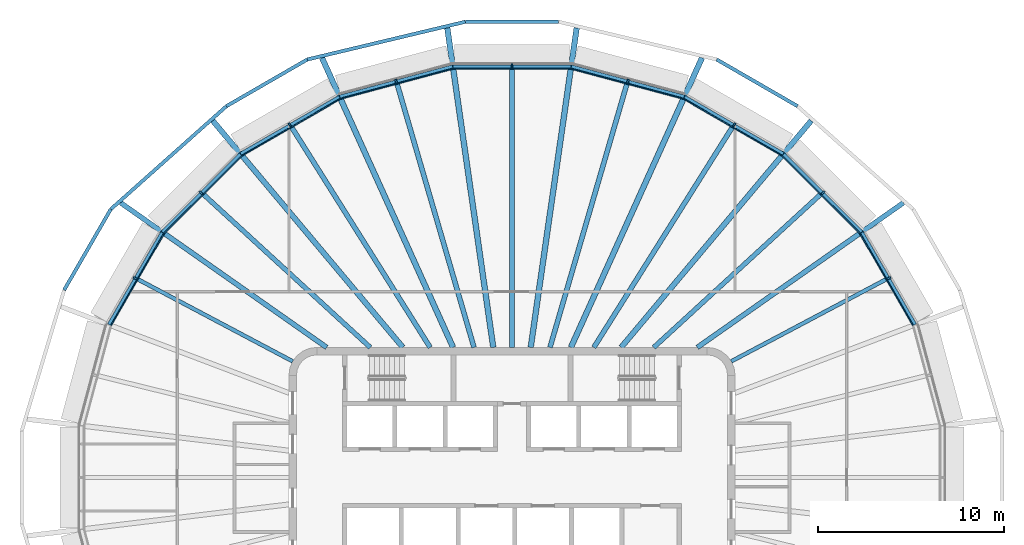
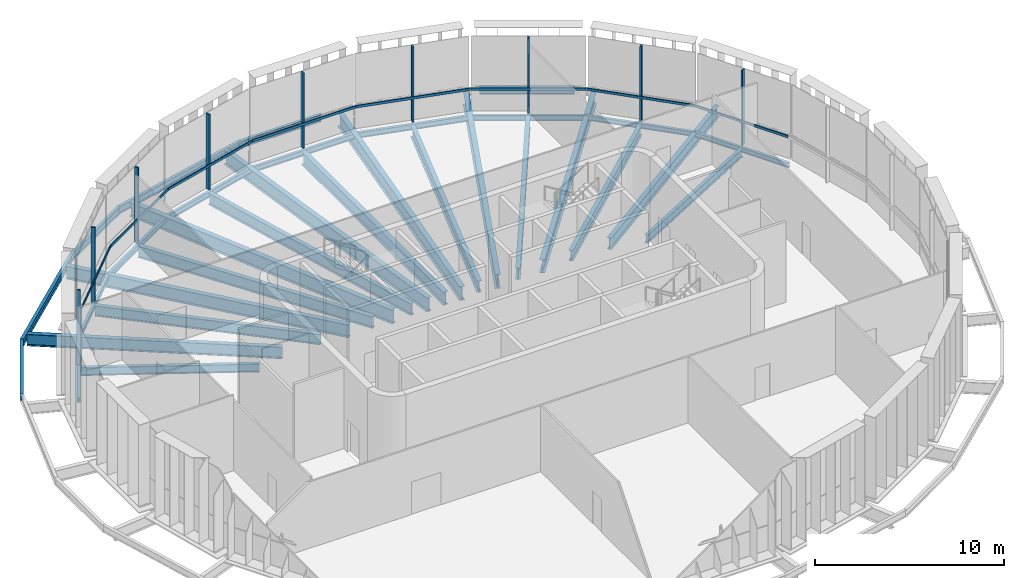
# One storey, part 4 of 16: 32 beams, 18 members, 9 elements without a shape of their own.
"""IFC4 building model written with IfcOpenShell, lengths in metres."""

from ifc_helpers import new_model, si_unit, direction, frame, origin, origin_2d, place, context, subcontext, project, spatial, rectangle, i_section, extrude, material, layer, layer_set, material_profile, profile_set, type_object, element, aggregate, save


model = new_model("IFC4")

# Units and contexts
model_context = context("Model", 3, precision=1e-05, world=origin(), true_north=direction((0.0, 1.0)))
body_context = subcontext(model_context, "Body", "Model", "MODEL_VIEW")
ifc_project = project(units=[si_unit("LENGTHUNIT", "METRE"), si_unit("AREAUNIT", "SQUARE_METRE"), si_unit("VOLUMEUNIT", "CUBIC_METRE"), si_unit("PLANEANGLEUNIT", "RADIAN"), si_unit("MASSUNIT", "GRAM", prefix="KILO")], contexts=[model_context])

# Site, building, storey
site_placement = place(None, origin())
site = spatial("IfcSite", under=ifc_project, at=site_placement, CompositionType="ELEMENT")
building_placement = place(site_placement, origin())
building = spatial("IfcBuilding", under=site, at=building_placement, Name="Sahrelin Media Tower", CompositionType="ELEMENT")
storey_placement = place(building_placement, frame((0.0, 0.0, 324.39990234375)))
storey = spatial("IfcBuildingStorey", under=building, at=storey_placement, Name="L72", CompositionType="ELEMENT", Elevation=324.39990234375)

# Beams
ifc_material_1 = material(Name="Steel S355", Category="steel")
ifc_material_profile_1 = material_profile(ifc_material_1, i_section(OverallWidth=0.1650390625, OverallDepth=0.303466796875, WebThickness=0.006103515625, FlangeThickness=0.01025390625, FilletRadius=0.0087890625, at=origin_2d()), Name="UB 305x165x40")
ifc_profile_set_1 = profile_set([ifc_material_profile_1], Name="Steel S355")
beam_type_1 = type_object("IfcBeamType", Name="Edge beam EB2", PredefinedType="BEAM", material=ifc_profile_set_1)
beam_1_placement = place(storey_placement, frame((-21.68701171875, 8.228759765625, -0.301513671875), z_axis=(0.500031155639, 0.86600741532, 0.0), x_axis=(-0.86600741532, 0.500031155639, 0.0)))
element("IfcBeam", 1, at=beam_1_placement, inside=storey, type_object=beam_type_1, Name="Edge beam L72-15", PredefinedType="BEAM", context=body_context, shape_type="SweptSolid", body=[
    extrude(i_section(OverallWidth=0.1650390625, OverallDepth=0.303466796875, WebThickness=0.006103515625, FlangeThickness=0.01025390625, FilletRadius=0.0087890625, at=origin_2d()), origin(), (0.0, 0.0, 1.0), 5.727783203125),
])
for number, where, z_axis, x_axis, name in (
    (2, (-18.8056640625, 13.2119140625, -0.301513671875), (0.707127398047, 0.707086163725, 0.0), (-0.707086163725, 0.707127398047, 0.0), "Edge beam L72-16"),
    (3, (14.618896484375, 17.3984375, -0.301513671875), (0.707127398047, -0.707086163725, 0.0), (0.707086163725, 0.707127398047, 0.0), "Edge beam L72-22"),
):
    element("IfcBeam", number, at=place(storey_placement, frame(where, z_axis=z_axis, x_axis=x_axis)), inside=storey, type_object=beam_type_1, Name=name, PredefinedType="BEAM", context=body_context, shape_type="SweptSolid", body=[
        extrude(i_section(OverallWidth=0.1650390625, OverallDepth=0.303466796875, WebThickness=0.006103515625, FlangeThickness=0.01025390625, FilletRadius=0.0087890625, at=origin_2d()), origin(), (0.0, 0.0, 1.0), 5.9208984375),
    ])
beam_2_placement = place(storey_placement, frame((18.822998046875, 13.18896484375, -0.301513671875), z_axis=(0.500031155639, -0.86600741532, 0.0), x_axis=(0.86600741532, 0.500031155639, 0.0)))
element("IfcBeam", 4, at=beam_2_placement, inside=storey, type_object=beam_type_1, Name="Edge beam L72-23", PredefinedType="BEAM", context=body_context, shape_type="SweptSolid", body=[
    extrude(i_section(OverallWidth=0.1650390625, OverallDepth=0.303466796875, WebThickness=0.006103515625, FlangeThickness=0.01025390625, FilletRadius=0.0087890625, at=origin_2d()), origin(), (0.0, 0.0, 1.0), 5.727783203125),
])
ifc_material_profile_2 = material_profile(ifc_material_1, i_section(OverallWidth=0.17138671875, OverallDepth=0.35498046875, WebThickness=0.00732421875, FlangeThickness=0.011474609375, FilletRadius=0.01025390625, at=origin_2d()), Name="UB 356x171x51")
ifc_profile_set_2 = profile_set([ifc_material_profile_2], Name="Steel S355")
beam_type_2 = type_object("IfcBeamType", Name="Edge beam EB3", PredefinedType="BEAM", material=ifc_profile_set_2)
beam_3_placement = place(storey_placement, frame((-14.59619140625, 17.416015625, -0.327392578125), z_axis=(0.866016979766, 0.500014590545, 0.0), x_axis=(-0.500014590545, 0.866016979766, 0.0)))
element("IfcBeam", 5, at=beam_3_placement, inside=storey, type_object=beam_type_2, Name="Edge beam L72-17", PredefinedType="BEAM", context=body_context, shape_type="SweptSolid", body=[
    extrude(i_section(OverallWidth=0.17138671875, OverallDepth=0.35498046875, WebThickness=0.00732421875, FlangeThickness=0.011474609375, FilletRadius=0.01025390625, at=origin_2d()), origin(), (0.0, 0.0, 1.0), 6.124755859375),
])
beam_4_placement = place(storey_placement, frame((-9.265380859375, 20.489501953125, -0.327392578125), z_axis=(0.965931048649, 0.258799554202, 0.0), x_axis=(-0.258799554202, 0.965931048649, 0.0)))
element("IfcBeam", 6, at=beam_4_placement, inside=storey, type_object=beam_type_2, Name="Edge beam L72-18", PredefinedType="BEAM", context=body_context, shape_type="SweptSolid", body=[
    extrude(i_section(OverallWidth=0.17138671875, OverallDepth=0.35498046875, WebThickness=0.00732421875, FlangeThickness=0.011474609375, FilletRadius=0.01025390625, at=origin_2d()), origin(), (0.0, 0.0, 1.0), 6.28076171875),
])
beam_5_placement = place(storey_placement, frame((-3.169921875, 22.118896484375, -0.327392578125), z_axis=(1.0, 0.0, 0.0), x_axis=(0.0, 1.0, 0.0)))
element("IfcBeam", 7, at=beam_5_placement, inside=storey, type_object=beam_type_2, Name="Edge beam L72-19", PredefinedType="BEAM", context=body_context, shape_type="SweptSolid", body=[
    extrude(i_section(OverallWidth=0.17138671875, OverallDepth=0.35498046875, WebThickness=0.00732421875, FlangeThickness=0.011474609375, FilletRadius=0.01025390625, at=origin_2d()), origin(), (0.0, 0.0, 1.0), 6.33984375),
])
beam_6_placement = place(storey_placement, frame((3.198486328125, 22.114990234375, -0.327392578125), z_axis=(0.965931048649, -0.258799554202, 0.0), x_axis=(0.258799554202, 0.965931048649, 0.0)))
element("IfcBeam", 8, at=beam_6_placement, inside=storey, type_object=beam_type_2, Name="Edge beam L72-20", PredefinedType="BEAM", context=body_context, shape_type="SweptSolid", body=[
    extrude(i_section(OverallWidth=0.17138671875, OverallDepth=0.35498046875, WebThickness=0.00732421875, FlangeThickness=0.011474609375, FilletRadius=0.01025390625, at=origin_2d()), origin(), (0.0, 0.0, 1.0), 6.28076171875),
])
beam_7_placement = place(storey_placement, frame((9.2919921875, 20.478515625, -0.327392578125), z_axis=(0.866016979766, -0.500014590545, 0.0), x_axis=(0.500014590545, 0.866016979766, 0.0)))
element("IfcBeam", 9, at=beam_7_placement, inside=storey, type_object=beam_type_2, Name="Edge beam L72-21", PredefinedType="BEAM", context=body_context, shape_type="SweptSolid", body=[
    extrude(i_section(OverallWidth=0.17138671875, OverallDepth=0.35498046875, WebThickness=0.00732421875, FlangeThickness=0.011474609375, FilletRadius=0.01025390625, at=origin_2d()), origin(), (0.0, 0.0, 1.0), 6.124755859375),
])

# Curtain wall, member
ifc_material_2 = material(Name="Champagne anodised aluminium 6063-T6", Category="aluminium")
ifc_layer = layer(ifc_material_2, 0.14990234375)
ifc_layer_set = layer_set([ifc_layer], Name="Observation curtain wall")
curtain_wall_type = type_object("IfcCurtainWallType", Name="Observation curtain wall", PredefinedType="NOTDEFINED", material=ifc_layer_set)
curtain_wall_1_placement = place(storey_placement, frame((20.385009765625, 10.783935546875, 0.0), z_axis=(0.0, 0.0, 1.0), x_axis=(1.0, 0.0, 0.0)))
curtain_wall_1 = element("IfcCurtainWall", 10, at=curtain_wall_1_placement, inside=storey, type_object=curtain_wall_type, Name="L72:CW:L72-02", PredefinedType="NOTDEFINED")
ifc_material_profile_3 = material_profile(ifc_material_2, rectangle(XDim=0.10009765625, YDim=0.22509765625, at=origin_2d()), Name="Mullion 100x225")
ifc_profile_set_3 = profile_set([ifc_material_profile_3], Name="Champagne anodised aluminium 6063-T6")
member_type_1 = type_object("IfcMemberType", Name="Mullion 100x225 CW3", PredefinedType="MULLION", material=ifc_profile_set_3)
member_1_placement = place(storey_placement, frame((20.270263671875, 10.717529296875, 0.0), z_axis=(0.0, 0.0, 1.0), x_axis=(-0.500012091947, 0.866018422383, 0.0)))
member_1 = element("IfcMember", 11, at=member_1_placement, type_object=member_type_1, Name="L72:CWM:L72-02", PredefinedType="MULLION", context=body_context, shape_type="SweptSolid", body=[
    extrude(rectangle(XDim=0.10009765625, YDim=0.22509765625, at=origin_2d()), origin(), (0.0, 0.0, 1.0), 4.8486328125),
])

curtain_wall_2_placement = place(storey_placement, frame((16.818359375, 15.4111328125, 0.0), z_axis=(0.0, 0.0, 1.0), x_axis=(1.0, 0.0, 0.0)))
curtain_wall_2 = element("IfcCurtainWall", 12, at=curtain_wall_2_placement, inside=storey, type_object=curtain_wall_type, Name="L72:CW:L72-03", PredefinedType="NOTDEFINED")
member_2_placement = place(storey_placement, frame((16.724609375, 15.3173828125, 0.0), z_axis=(0.0, 0.0, 1.0), x_axis=(-0.707098142195, 0.707115420073, 0.0)))
member_2 = element("IfcMember", 13, at=member_2_placement, type_object=member_type_1, Name="L72:CWM:L72-03", PredefinedType="MULLION", context=body_context, shape_type="SweptSolid", body=[
    extrude(rectangle(XDim=0.10009765625, YDim=0.22509765625, at=origin_2d()), origin(), (0.0, 0.0, 1.0), 4.8486328125),
])

curtain_wall_3_placement = place(storey_placement, frame((12.01904296875, 19.0771484375, 0.0), z_axis=(0.0, 0.0, 1.0), x_axis=(1.0, 0.0, 0.0)))
curtain_wall_3 = element("IfcCurtainWall", 14, at=curtain_wall_3_placement, inside=storey, type_object=curtain_wall_type, Name="L72:CW:L72-04", PredefinedType="NOTDEFINED")
member_3_placement = place(storey_placement, frame((11.952880859375, 18.96240234375, 0.0), z_axis=(0.0, 0.0, 1.0), x_axis=(-0.866026276448, 0.4999984885, 0.0)))
member_3 = element("IfcMember", 15, at=member_3_placement, type_object=member_type_1, Name="L72:CWM:L72-04", PredefinedType="MULLION", context=body_context, shape_type="SweptSolid", body=[
    extrude(rectangle(XDim=0.10009765625, YDim=0.22509765625, at=origin_2d()), origin(), (0.0, 0.0, 1.0), 4.8486328125),
])

curtain_wall_4_placement = place(storey_placement, frame((6.270751953125, 21.447021484375, 0.0), z_axis=(0.0, 0.0, 1.0), x_axis=(1.0, 0.0, 0.0)))
curtain_wall_4 = element("IfcCurtainWall", 16, at=curtain_wall_4_placement, inside=storey, type_object=curtain_wall_type, Name="L72:CW:L72-05", PredefinedType="NOTDEFINED")
member_4_placement = place(storey_placement, frame((6.236328125, 21.319091796875, 0.0), z_axis=(0.0, 0.0, 1.0), x_axis=(-0.965925374563, 0.258820730961, 0.0)))
member_4 = element("IfcMember", 17, at=member_4_placement, type_object=member_type_1, Name="L72:CWM:L72-05", PredefinedType="MULLION", context=body_context, shape_type="SweptSolid", body=[
    extrude(rectangle(XDim=0.10009765625, YDim=0.22509765625, at=origin_2d()), origin(), (0.0, 0.0, 1.0), 4.8486328125),
])

curtain_wall_5_placement = place(storey_placement, frame((0.0, 22.268798828125, 0.0), z_axis=(0.0, 0.0, 1.0), x_axis=(1.0, 0.0, 0.0)))
curtain_wall_5 = element("IfcCurtainWall", 18, at=curtain_wall_5_placement, inside=storey, type_object=curtain_wall_type, Name="L72:CW:L72-06", PredefinedType="NOTDEFINED")
member_5_placement = place(storey_placement, frame((0.0, 22.13623046875, 0.0), z_axis=(0.0, 0.0, 1.0), x_axis=(-1.0, 0.0, 0.0)))
member_5 = element("IfcMember", 19, at=member_5_placement, type_object=member_type_1, Name="L72:CWM:L72-06", PredefinedType="MULLION", context=body_context, shape_type="SweptSolid", body=[
    extrude(rectangle(XDim=0.10009765625, YDim=0.22509765625, at=origin_2d()), origin(), (0.0, 0.0, 1.0), 4.8486328125),
])

curtain_wall_6_placement = place(storey_placement, frame((-6.270751953125, 21.447021484375, 0.0), z_axis=(0.0, 0.0, 1.0), x_axis=(1.0, 0.0, 0.0)))
curtain_wall_6 = element("IfcCurtainWall", 20, at=curtain_wall_6_placement, inside=storey, type_object=curtain_wall_type, Name="L72:CW:L72-07", PredefinedType="NOTDEFINED")
member_6_placement = place(storey_placement, frame((-6.236328125, 21.319091796875, 0.0), z_axis=(0.0, 0.0, 1.0), x_axis=(-0.965925374563, -0.258820730961, 0.0)))
member_6 = element("IfcMember", 21, at=member_6_placement, type_object=member_type_1, Name="L72:CWM:L72-07", PredefinedType="MULLION", context=body_context, shape_type="SweptSolid", body=[
    extrude(rectangle(XDim=0.10009765625, YDim=0.22509765625, at=origin_2d()), origin(), (0.0, 0.0, 1.0), 4.8486328125),
])

curtain_wall_7_placement = place(storey_placement, frame((-12.01904296875, 19.0771484375, 0.0), z_axis=(0.0, 0.0, 1.0), x_axis=(1.0, 0.0, 0.0)))
curtain_wall_7 = element("IfcCurtainWall", 22, at=curtain_wall_7_placement, inside=storey, type_object=curtain_wall_type, Name="L72:CW:L72-08", PredefinedType="NOTDEFINED")
member_7_placement = place(storey_placement, frame((-11.952880859375, 18.96240234375, 0.0), z_axis=(0.0, 0.0, 1.0), x_axis=(-0.866026276448, -0.4999984885, 0.0)))
member_7 = element("IfcMember", 23, at=member_7_placement, type_object=member_type_1, Name="L72:CWM:L72-08", PredefinedType="MULLION", context=body_context, shape_type="SweptSolid", body=[
    extrude(rectangle(XDim=0.10009765625, YDim=0.22509765625, at=origin_2d()), origin(), (0.0, 0.0, 1.0), 4.8486328125),
])

curtain_wall_8_placement = place(storey_placement, frame((-16.818359375, 15.4111328125, 0.0), z_axis=(0.0, 0.0, 1.0), x_axis=(1.0, 0.0, 0.0)))
curtain_wall_8 = element("IfcCurtainWall", 24, at=curtain_wall_8_placement, inside=storey, type_object=curtain_wall_type, Name="L72:CW:L72-09", PredefinedType="NOTDEFINED")
member_8_placement = place(storey_placement, frame((-16.724609375, 15.3173828125, 0.0), z_axis=(0.0, 0.0, 1.0), x_axis=(-0.707098142195, -0.707115420073, 0.0)))
member_8 = element("IfcMember", 25, at=member_8_placement, type_object=member_type_1, Name="L72:CWM:L72-09", PredefinedType="MULLION", context=body_context, shape_type="SweptSolid", body=[
    extrude(rectangle(XDim=0.10009765625, YDim=0.22509765625, at=origin_2d()), origin(), (0.0, 0.0, 1.0), 4.8486328125),
])

curtain_wall_9_placement = place(storey_placement, frame((-20.385009765625, 10.78369140625, 0.0), z_axis=(0.0, 0.0, 1.0), x_axis=(1.0, 0.0, 0.0)))
curtain_wall_9 = element("IfcCurtainWall", 26, at=curtain_wall_9_placement, inside=storey, type_object=curtain_wall_type, Name="L72:CW:L72-10", PredefinedType="NOTDEFINED")
member_9_placement = place(storey_placement, frame((-20.270263671875, 10.717529296875, 0.0), z_axis=(0.0, 0.0, 1.0), x_axis=(-0.500012091947, -0.866018422383, 0.0)))
member_9 = element("IfcMember", 27, at=member_9_placement, type_object=member_type_1, Name="L72:CWM:L72-10", PredefinedType="MULLION", context=body_context, shape_type="SweptSolid", body=[
    extrude(rectangle(XDim=0.10009765625, YDim=0.22509765625, at=origin_2d()), origin(), (0.0, 0.0, 1.0), 4.8486328125),
])

# Beams
ifc_material_profile_4 = material_profile(ifc_material_1, i_section(OverallWidth=0.291748046875, OverallDepth=0.8349609375, WebThickness=0.013916015625, FlangeThickness=0.018798828125, FilletRadius=0.017822265625, at=origin_2d()), Name="UB 838x292x176")
ifc_profile_set_4 = profile_set([ifc_material_profile_4], Name="Steel S355")
beam_type_3 = type_object("IfcBeamType", Name="Radial primary beam PB10", PredefinedType="BEAM", material=ifc_profile_set_4)
for number, where, z_axis, x_axis, name in (
    (28, (5.87060546875, 7.0, -0.5673828125), (0.642597154572, 0.766204213598, 0.0), (-0.766204213598, 0.642597154572, 0.0), "Radial beam L72-04"),
    (29, (-5.87060546875, 7.0, -0.5673828125), (-0.642597154572, 0.766204213598, 0.0), (-0.766204213598, -0.642597154572, 0.0), "Radial beam L72-09"),
):
    element("IfcBeam", number, at=place(storey_placement, frame(where, z_axis=z_axis, x_axis=x_axis)), inside=storey, type_object=beam_type_3, Name=name, PredefinedType="BEAM", context=body_context, shape_type="SweptSolid", body=[
        extrude(i_section(OverallWidth=0.291748046875, OverallDepth=0.8349609375, WebThickness=0.013916015625, FlangeThickness=0.018798828125, FilletRadius=0.017822265625, at=origin_2d()), origin(), (0.0, 0.0, 1.0), 15.91357421875),
    ])
ifc_material_profile_5 = material_profile(ifc_material_1, i_section(OverallWidth=0.30322265625, OverallDepth=0.903076171875, WebThickness=0.01513671875, FlangeThickness=0.020263671875, FilletRadius=0.01904296875, at=origin_2d()), Name="UB 914x305x201")
ifc_profile_set_5 = profile_set([ifc_material_profile_5], Name="Steel S355")
beam_type_4 = type_object("IfcBeamType", Name="Radial primary beam PB11", PredefinedType="BEAM", material=ifc_profile_set_5)
beam_8_placement = place(storey_placement, frame((3.1689453125, 7.0, -0.601318359375), z_axis=(0.412422382425, 0.910992743371, 0.0), x_axis=(-0.910992743371, 0.412422382425, 0.0)))
element("IfcBeam", 30, at=beam_8_placement, inside=storey, type_object=beam_type_4, Name="Radial beam L72-05", PredefinedType="BEAM", context=body_context, shape_type="SweptSolid", body=[
    extrude(i_section(OverallWidth=0.30322265625, OverallDepth=0.903076171875, WebThickness=0.01513671875, FlangeThickness=0.020263671875, FilletRadius=0.01904296875, at=origin_2d()), origin(), (0.0, 0.0, 1.0), 17.10009765625),
])
for number, where, z_axis, x_axis, name in (
    (31, (1.007080078125, 7.0, -0.601318359375), (0.142425148838, 0.989805575342, 0.0), (-0.989805575342, 0.142425148838, 0.0), "Radial beam L72-06"),
    (32, (-1.007080078125, 7.0, -0.601318359375), (-0.142425148838, 0.989805575342, 0.0), (-0.989805575342, -0.142425148838, 0.0), "Radial beam L72-07"),
):
    element("IfcBeam", number, at=place(storey_placement, frame(where, z_axis=z_axis, x_axis=x_axis)), inside=storey, type_object=beam_type_4, Name=name, PredefinedType="BEAM", context=body_context, shape_type="SweptSolid", body=[
        extrude(i_section(OverallWidth=0.30322265625, OverallDepth=0.903076171875, WebThickness=0.01513671875, FlangeThickness=0.020263671875, FilletRadius=0.01904296875, at=origin_2d()), origin(), (0.0, 0.0, 1.0), 17.364501953125),
    ])
beam_9_placement = place(storey_placement, frame((-3.1689453125, 7.0, -0.601318359375), z_axis=(-0.412422382425, 0.910992743371, 0.0), x_axis=(-0.910992743371, -0.412422382425, 0.0)))
element("IfcBeam", 33, at=beam_9_placement, inside=storey, type_object=beam_type_4, Name="Radial beam L72-08", PredefinedType="BEAM", context=body_context, shape_type="SweptSolid", body=[
    extrude(i_section(OverallWidth=0.30322265625, OverallDepth=0.903076171875, WebThickness=0.01513671875, FlangeThickness=0.020263671875, FilletRadius=0.01904296875, at=origin_2d()), origin(), (0.0, 0.0, 1.0), 17.10009765625),
])
ifc_material_profile_6 = material_profile(ifc_material_1, i_section(OverallWidth=0.26513671875, OverallDepth=0.75390625, WebThickness=0.0126953125, FlangeThickness=0.017578125, FilletRadius=0.0166015625, at=origin_2d()), Name="UB 762x267x147")
ifc_profile_set_6 = profile_set([ifc_material_profile_6], Name="Steel S355")
beam_type_5 = type_object("IfcBeamType", Name="Radial primary beam PB9", PredefinedType="BEAM", material=ifc_profile_set_6)
for number, where, z_axis, x_axis, name in (
    (34, (9.97119140625, 7.0, -0.52685546875), (0.818447487805, 0.574581334283, 0.0), (-0.574581334283, 0.818447487805, 0.0), "Radial beam L72-03"),
    (35, (-9.97119140625, 7.0, -0.52685546875), (-0.818447487805, 0.574581334283, 0.0), (-0.574581334283, -0.818447487805, 0.0), "Radial beam L72-10"),
):
    element("IfcBeam", number, at=place(storey_placement, frame(where, z_axis=z_axis, x_axis=x_axis)), inside=storey, type_object=beam_type_5, Name=name, PredefinedType="BEAM", context=body_context, shape_type="SweptSolid", body=[
        extrude(i_section(OverallWidth=0.26513671875, OverallDepth=0.75390625, WebThickness=0.0126953125, FlangeThickness=0.017578125, FilletRadius=0.0166015625, at=origin_2d()), origin(), (0.0, 0.0, 1.0), 13.538330078125),
    ])
ifc_material_profile_7 = material_profile(ifc_material_1, i_section(OverallWidth=0.291748046875, OverallDepth=0.8349609375, WebThickness=0.013916015625, FlangeThickness=0.018798828125, FilletRadius=0.017822265625, at=origin_2d()), Name="UB 838x292x176")
ifc_profile_set_7 = profile_set([ifc_material_profile_7], Name="Steel S355")
beam_type_6 = type_object("IfcBeamType", Name="Radial secondary beam SB10", PredefinedType="BEAM", material=ifc_profile_set_7)
beam_10_placement = place(storey_placement, frame((0.0, 7.0, -0.5673828125), z_axis=(0.0, 1.0, 0.0), x_axis=(-1.0, 0.0, 0.0)))
element("IfcBeam", 36, at=beam_10_placement, inside=storey, type_object=beam_type_6, Name="Secondary beam L72-06", PredefinedType="BEAM", context=body_context, shape_type="SweptSolid", body=[
    extrude(i_section(OverallWidth=0.291748046875, OverallDepth=0.8349609375, WebThickness=0.013916015625, FlangeThickness=0.018798828125, FilletRadius=0.017822265625, at=origin_2d()), origin(), (0.0, 0.0, 1.0), 15.032958984375),
])
ifc_material_profile_8 = material_profile(ifc_material_1, i_section(OverallWidth=0.208740234375, OverallDepth=0.5283203125, WebThickness=0.009521484375, FlangeThickness=0.01318359375, FilletRadius=0.0126953125, at=origin_2d()), Name="UB 533x210x82")
ifc_profile_set_8 = profile_set([ifc_material_profile_8], Name="Steel S355")
beam_type_7 = type_object("IfcBeamType", Name="Radial secondary beam SB6", PredefinedType="BEAM", material=ifc_profile_set_8)
for number, where, z_axis, x_axis, name in (
    (37, (11.798583984375, 6.250244140625, -0.4140625), (0.883668821173, 0.468112608767, 0.0), (-0.468112608767, 0.883668821173, 0.0), "Secondary beam L72-02"),
    (38, (-11.798583984375, 6.250244140625, -0.4140625), (-0.883668821173, 0.468112608767, 0.0), (-0.468112608767, -0.883668821173, 0.0), "Secondary beam L72-10"),
):
    element("IfcBeam", number, at=place(storey_placement, frame(where, z_axis=z_axis, x_axis=x_axis)), inside=storey, type_object=beam_type_7, Name=name, PredefinedType="BEAM", context=body_context, shape_type="SweptSolid", body=[
        extrude(i_section(OverallWidth=0.208740234375, OverallDepth=0.5283203125, WebThickness=0.009521484375, FlangeThickness=0.01318359375, FilletRadius=0.0126953125, at=origin_2d()), origin(), (0.0, 0.0, 1.0), 9.476318359375),
    ])
ifc_material_profile_9 = material_profile(ifc_material_1, i_section(OverallWidth=0.2529296875, OverallDepth=0.677978515625, WebThickness=0.01171875, FlangeThickness=0.01611328125, FilletRadius=0.01513671875, at=origin_2d()), Name="UB 686x254x125")
ifc_profile_set_9 = profile_set([ifc_material_profile_9], Name="Steel S355")
beam_type_8 = type_object("IfcBeamType", Name="Radial secondary beam SB8", PredefinedType="BEAM", material=ifc_profile_set_9)
for number, where, z_axis, x_axis, name in (
    (39, (7.627685546875, 7.0, -0.489013671875), (0.736780999389, 0.676131465721, 0.0), (-0.676131465721, 0.736780999389, 0.0), "Secondary beam L72-03"),
    (40, (-7.627685546875, 7.0, -0.489013671875), (-0.736780999389, 0.676131465721, 0.0), (-0.676131465721, -0.736780999389, 0.0), "Secondary beam L72-09"),
):
    element("IfcBeam", number, at=place(storey_placement, frame(where, z_axis=z_axis, x_axis=x_axis)), inside=storey, type_object=beam_type_8, Name=name, PredefinedType="BEAM", context=body_context, shape_type="SweptSolid", body=[
        extrude(i_section(OverallWidth=0.2529296875, OverallDepth=0.677978515625, WebThickness=0.01171875, FlangeThickness=0.01611328125, FilletRadius=0.01513671875, at=origin_2d()), origin(), (0.0, 0.0, 1.0), 12.225341796875),
    ])
ifc_material_profile_10 = material_profile(ifc_material_1, i_section(OverallWidth=0.26513671875, OverallDepth=0.75390625, WebThickness=0.0126953125, FlangeThickness=0.017578125, FilletRadius=0.0166015625, at=origin_2d()), Name="UB 762x267x147")
ifc_profile_set_10 = profile_set([ifc_material_profile_10], Name="Steel S355")
beam_type_9 = type_object("IfcBeamType", Name="Radial secondary beam SB9", PredefinedType="BEAM", material=ifc_profile_set_10)
beam_11_placement = place(storey_placement, frame((4.4033203125, 7.0, -0.52685546875), z_axis=(0.532436450386, 0.846469979562, 0.0), x_axis=(-0.846469979562, 0.532436450386, 0.0)))
element("IfcBeam", 41, at=beam_11_placement, inside=storey, type_object=beam_type_9, Name="Secondary beam L72-04", PredefinedType="BEAM", context=body_context, shape_type="SweptSolid", body=[
    extrude(i_section(OverallWidth=0.26513671875, OverallDepth=0.75390625, WebThickness=0.0126953125, FlangeThickness=0.017578125, FilletRadius=0.0166015625, at=origin_2d()), origin(), (0.0, 0.0, 1.0), 14.041259765625),
])
for number, where, z_axis, x_axis, name in (
    (42, (2.043212890625, 7.0, -0.52685546875), (0.280209423765, 0.959938893281, 0.0), (-0.959938893281, 0.280209423765, 0.0), "Secondary beam L72-05"),
    (43, (-2.043212890625, 7.0, -0.52685546875), (-0.280209423765, 0.959938893281, 0.0), (-0.959938893281, -0.280209423765, 0.0), "Secondary beam L72-07"),
):
    element("IfcBeam", number, at=place(storey_placement, frame(where, z_axis=z_axis, x_axis=x_axis)), inside=storey, type_object=beam_type_9, Name=name, PredefinedType="BEAM", context=body_context, shape_type="SweptSolid", body=[
        extrude(i_section(OverallWidth=0.26513671875, OverallDepth=0.75390625, WebThickness=0.0126953125, FlangeThickness=0.017578125, FilletRadius=0.0166015625, at=origin_2d()), origin(), (0.0, 0.0, 1.0), 14.81689453125),
    ])
beam_12_placement = place(storey_placement, frame((-4.4033203125, 7.0, -0.52685546875), z_axis=(-0.532436450386, 0.846469979562, 0.0), x_axis=(-0.846469979562, -0.532436450386, 0.0)))
element("IfcBeam", 44, at=beam_12_placement, inside=storey, type_object=beam_type_9, Name="Secondary beam L72-08", PredefinedType="BEAM", context=body_context, shape_type="SweptSolid", body=[
    extrude(i_section(OverallWidth=0.26513671875, OverallDepth=0.75390625, WebThickness=0.0126953125, FlangeThickness=0.017578125, FilletRadius=0.0166015625, at=origin_2d()), origin(), (0.0, 0.0, 1.0), 14.041259765625),
])
ifc_material_profile_11 = material_profile(ifc_material_1, i_section(OverallWidth=0.1904296875, OverallDepth=0.45703125, WebThickness=0.009033203125, FlangeThickness=0.014404296875, FilletRadius=0.01025390625, at=origin_2d()), Name="UB 457x191x74")
ifc_profile_set_11 = profile_set([ifc_material_profile_11], Name="Steel S355")
beam_type_10 = type_object("IfcBeamType", Name="Tie chord TC5", PredefinedType="BEAM", material=ifc_profile_set_11)
beam_13_placement = place(storey_placement, frame((15.3583984375, 19.978515625, -0.37841796875), z_axis=(-0.866015402684, 0.500017322015, 0.0), x_axis=(-0.500017322015, -0.866015402684, 0.0)))
element("IfcBeam", 45, at=beam_13_placement, inside=storey, type_object=beam_type_10, Name="Tie chord L72-04", PredefinedType="BEAM", context=body_context, shape_type="SweptSolid", body=[
    extrude(i_section(OverallWidth=0.1904296875, OverallDepth=0.45703125, WebThickness=0.009033203125, FlangeThickness=0.014404296875, FilletRadius=0.01025390625, at=origin_2d()), origin(), (0.0, 0.0, 1.0), 5.016845703125),
])
beam_14_placement = place(storey_placement, frame((2.508544921875, 24.517333984375, -0.37841796875), z_axis=(-1.0, 0.0, 0.0), x_axis=(0.0, -1.0, 0.0)))
element("IfcBeam", 46, at=beam_14_placement, inside=storey, type_object=beam_type_10, Name="Tie chord L72-06", PredefinedType="BEAM", context=body_context, shape_type="SweptSolid", body=[
    extrude(i_section(OverallWidth=0.1904296875, OverallDepth=0.45703125, WebThickness=0.009033203125, FlangeThickness=0.014404296875, FilletRadius=0.01025390625, at=origin_2d()), origin(), (0.0, 0.0, 1.0), 5.01708984375),
])
beam_15_placement = place(storey_placement, frame((-2.508544921875, 24.517333984375, -0.37841796875), z_axis=(-0.9726709397, -0.232187947715, 0.0), x_axis=(0.232187947715, -0.9726709397, 0.0)))
element("IfcBeam", 47, at=beam_15_placement, inside=storey, type_object=beam_type_10, Name="Tie chord L72-07", PredefinedType="BEAM", context=body_context, shape_type="SweptSolid", body=[
    extrude(i_section(OverallWidth=0.1904296875, OverallDepth=0.45703125, WebThickness=0.009033203125, FlangeThickness=0.014404296875, FilletRadius=0.01025390625, at=origin_2d()), origin(), (0.0, 0.0, 1.0), 8.744140625),
])
beam_16_placement = place(storey_placement, frame((-11.013671875, 22.487060546875, -0.37841796875), z_axis=(-0.866015402684, -0.500017322015, 0.0), x_axis=(0.500017322015, -0.866015402684, 0.0)))
element("IfcBeam", 48, at=beam_16_placement, inside=storey, type_object=beam_type_10, Name="Tie chord L72-08", PredefinedType="BEAM", context=body_context, shape_type="SweptSolid", body=[
    extrude(i_section(OverallWidth=0.1904296875, OverallDepth=0.45703125, WebThickness=0.009033203125, FlangeThickness=0.014404296875, FilletRadius=0.01025390625, at=origin_2d()), origin(), (0.0, 0.0, 1.0), 5.016845703125),
])
beam_17_placement = place(storey_placement, frame((-15.3583984375, 19.978515625, -0.37841796875), z_axis=(-0.746643186688, -0.665224737793, 0.0), x_axis=(0.665224737793, -0.746643186688, 0.0)))
element("IfcBeam", 49, at=beam_17_placement, inside=storey, type_object=beam_type_10, Name="Tie chord L72-09", PredefinedType="BEAM", context=body_context, shape_type="SweptSolid", body=[
    extrude(i_section(OverallWidth=0.1904296875, OverallDepth=0.45703125, WebThickness=0.009033203125, FlangeThickness=0.014404296875, FilletRadius=0.01025390625, at=origin_2d()), origin(), (0.0, 0.0, 1.0), 8.339111328125),
])
beam_18_placement = place(storey_placement, frame((-21.584716796875, 14.43115234375, -0.37841796875), z_axis=(-0.499959752769, -0.866048639287, 0.0), x_axis=(0.866048639287, -0.499959752769, 0.0)))
element("IfcBeam", 50, at=beam_18_placement, inside=storey, type_object=beam_type_10, Name="Tie chord L72-10", PredefinedType="BEAM", context=body_context, shape_type="SweptSolid", body=[
    extrude(i_section(OverallWidth=0.1904296875, OverallDepth=0.45703125, WebThickness=0.009033203125, FlangeThickness=0.014404296875, FilletRadius=0.01025390625, at=origin_2d()), origin(), (0.0, 0.0, 1.0), 5.01708984375),
])

# Member
ifc_material_profile_12 = material_profile(ifc_material_2, rectangle(XDim=0.06005859375, YDim=0.159912109375, at=origin_2d()), Name="Transom 60x160")
ifc_profile_set_12 = profile_set([ifc_material_profile_12], Name="Champagne anodised aluminium 6063-T6")
member_type_2 = type_object("IfcMemberType", Name="Transom 60x160 CW3", PredefinedType="USERDEFINED", material=ifc_profile_set_12)
member_10_placement = place(storey_placement, frame((21.57080078125, 8.179931640625, 1.60009765625), z_axis=(-0.500020502941, 0.866013566082, 0.0), x_axis=(-0.866013566082, -0.500020502941, 0.0)))
member_10 = element("IfcMember", 51, at=member_10_placement, type_object=member_type_2, Name="L72:CWT:L72-02", ObjectType="TRANSOM", PredefinedType="USERDEFINED", context=body_context, shape_type="SweptSolid", body=[
    extrude(rectangle(XDim=0.06005859375, YDim=0.159912109375, at=origin_2d()), origin(), (0.0, 0.0, 1.0), 5.696044921875),
])

aggregate(curtain_wall_1, [member_1, member_10])

member_11_placement = place(storey_placement, frame((18.7060546875, 13.134521484375, 1.60009765625), z_axis=(-0.707086053731, 0.707127508034, 0.0), x_axis=(-0.707127508034, -0.707086053731, 0.0)))
member_11 = element("IfcMember", 52, at=member_11_placement, type_object=member_type_2, Name="L72:CWT:L72-03", ObjectType="TRANSOM", PredefinedType="USERDEFINED", context=body_context, shape_type="SweptSolid", body=[
    extrude(rectangle(XDim=0.06005859375, YDim=0.159912109375, at=origin_2d()), origin(), (0.0, 0.0, 1.0), 5.889404296875),
])

aggregate(curtain_wall_2, [member_2, member_11])

member_12_placement = place(storey_placement, frame((14.52001953125, 17.315673828125, 1.60009765625), z_axis=(-0.866022779063, 0.500004546124, 0.0), x_axis=(-0.500004546124, -0.866022779063, 0.0)))
member_12 = element("IfcMember", 53, at=member_12_placement, type_object=member_type_2, Name="L72:CWT:L72-04", ObjectType="TRANSOM", PredefinedType="USERDEFINED", context=body_context, shape_type="SweptSolid", body=[
    extrude(rectangle(XDim=0.06005859375, YDim=0.159912109375, at=origin_2d()), origin(), (0.0, 0.0, 1.0), 6.09326171875),
])

aggregate(curtain_wall_3, [member_3, member_12])

member_13_placement = place(storey_placement, frame((9.2177734375, 20.372802734375, 1.60009765625), z_axis=(-0.9659288707, 0.25880768294, 0.0), x_axis=(-0.25880768294, -0.9659288707, 0.0)))
member_13 = element("IfcMember", 54, at=member_13_placement, type_object=member_type_2, Name="L72:CWT:L72-05", ObjectType="TRANSOM", PredefinedType="USERDEFINED", context=body_context, shape_type="SweptSolid", body=[
    extrude(rectangle(XDim=0.06005859375, YDim=0.159912109375, at=origin_2d()), origin(), (0.0, 0.0, 1.0), 6.24951171875),
])

aggregate(curtain_wall_4, [member_4, member_13])

member_14_placement = place(storey_placement, frame((3.154052734375, 21.993896484375, 1.60009765625), z_axis=(-1.0, 0.0, 0.0), x_axis=(0.0, -1.0, 0.0)))
member_14 = element("IfcMember", 55, at=member_14_placement, type_object=member_type_2, Name="L72:CWT:L72-06", ObjectType="TRANSOM", PredefinedType="USERDEFINED", context=body_context, shape_type="SweptSolid", body=[
    extrude(rectangle(XDim=0.06005859375, YDim=0.159912109375, at=origin_2d()), origin(), (0.0, 0.0, 1.0), 6.30810546875),
])

aggregate(curtain_wall_5, [member_5, member_14])

member_15_placement = place(storey_placement, frame((-3.18115234375, 21.990234375, 1.60009765625), z_axis=(-0.9659288707, -0.25880768294, 0.0), x_axis=(0.25880768294, -0.9659288707, 0.0)))
member_15 = element("IfcMember", 56, at=member_15_placement, type_object=member_type_2, Name="L72:CWT:L72-07", ObjectType="TRANSOM", PredefinedType="USERDEFINED", context=body_context, shape_type="SweptSolid", body=[
    extrude(rectangle(XDim=0.06005859375, YDim=0.159912109375, at=origin_2d()), origin(), (0.0, 0.0, 1.0), 6.24951171875),
])

aggregate(curtain_wall_6, [member_6, member_15])

member_16_placement = place(storey_placement, frame((-9.2431640625, 20.3623046875, 1.60009765625), z_axis=(-0.866022779063, -0.500004546124, 0.0), x_axis=(0.500004546124, -0.866022779063, 0.0)))
member_16 = element("IfcMember", 57, at=member_16_placement, type_object=member_type_2, Name="L72:CWT:L72-08", ObjectType="TRANSOM", PredefinedType="USERDEFINED", context=body_context, shape_type="SweptSolid", body=[
    extrude(rectangle(XDim=0.06005859375, YDim=0.159912109375, at=origin_2d()), origin(), (0.0, 0.0, 1.0), 6.09326171875),
])

aggregate(curtain_wall_7, [member_7, member_16])

member_17_placement = place(storey_placement, frame((-14.541748046875, 17.299072265625, 1.60009765625), z_axis=(-0.707086053731, -0.707127508034, 0.0), x_axis=(0.707127508034, -0.707086053731, 0.0)))
member_17 = element("IfcMember", 58, at=member_17_placement, type_object=member_type_2, Name="L72:CWT:L72-09", ObjectType="TRANSOM", PredefinedType="USERDEFINED", context=body_context, shape_type="SweptSolid", body=[
    extrude(rectangle(XDim=0.06005859375, YDim=0.159912109375, at=origin_2d()), origin(), (0.0, 0.0, 1.0), 5.889404296875),
])

aggregate(curtain_wall_8, [member_8, member_17])

member_18_placement = place(storey_placement, frame((-18.72265625, 13.11279296875, 1.60009765625), z_axis=(-0.500020502941, -0.866013566082, 0.0), x_axis=(0.866013566082, -0.500020502941, 0.0)))
member_18 = element("IfcMember", 59, at=member_18_placement, type_object=member_type_2, Name="L72:CWT:L72-10", ObjectType="TRANSOM", PredefinedType="USERDEFINED", context=body_context, shape_type="SweptSolid", body=[
    extrude(rectangle(XDim=0.06005859375, YDim=0.159912109375, at=origin_2d()), origin(), (0.0, 0.0, 1.0), 5.696044921875),
])

aggregate(curtain_wall_9, [member_9, member_18])

save(model, "model.ifc")
